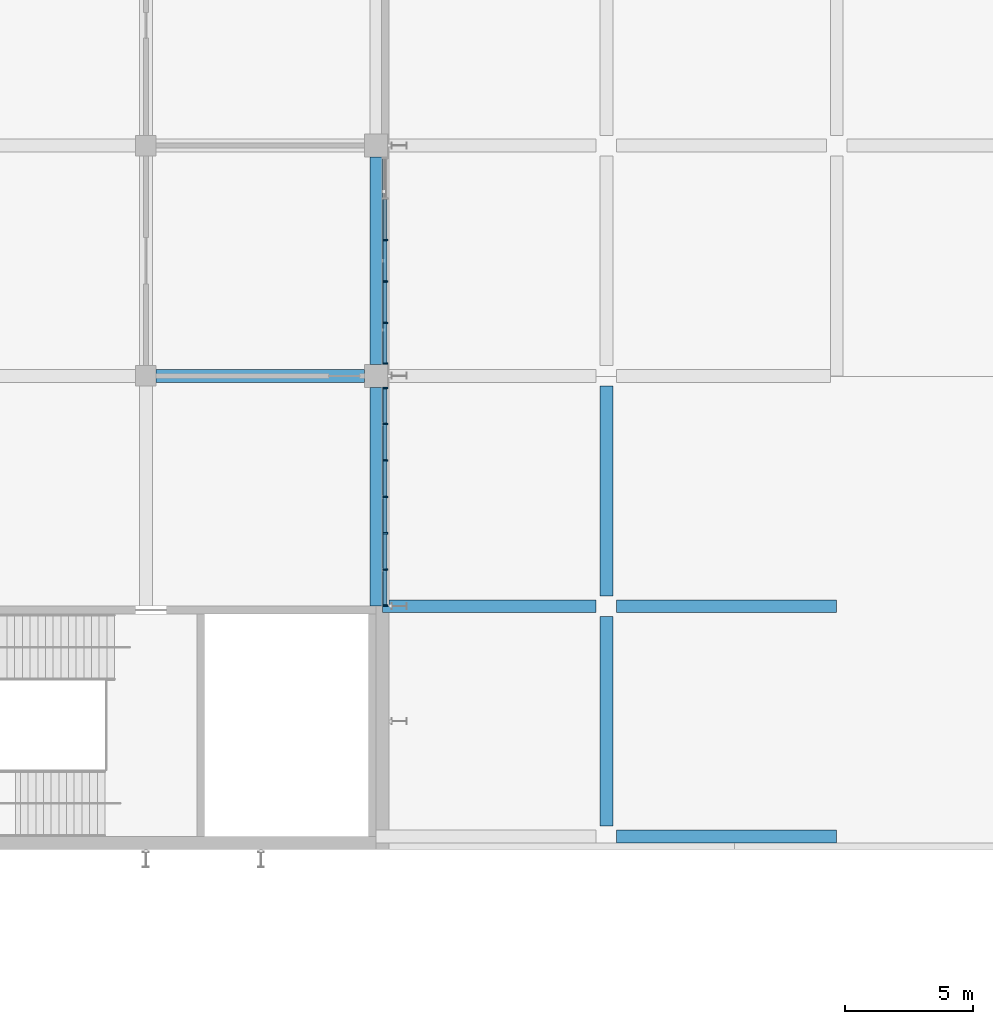
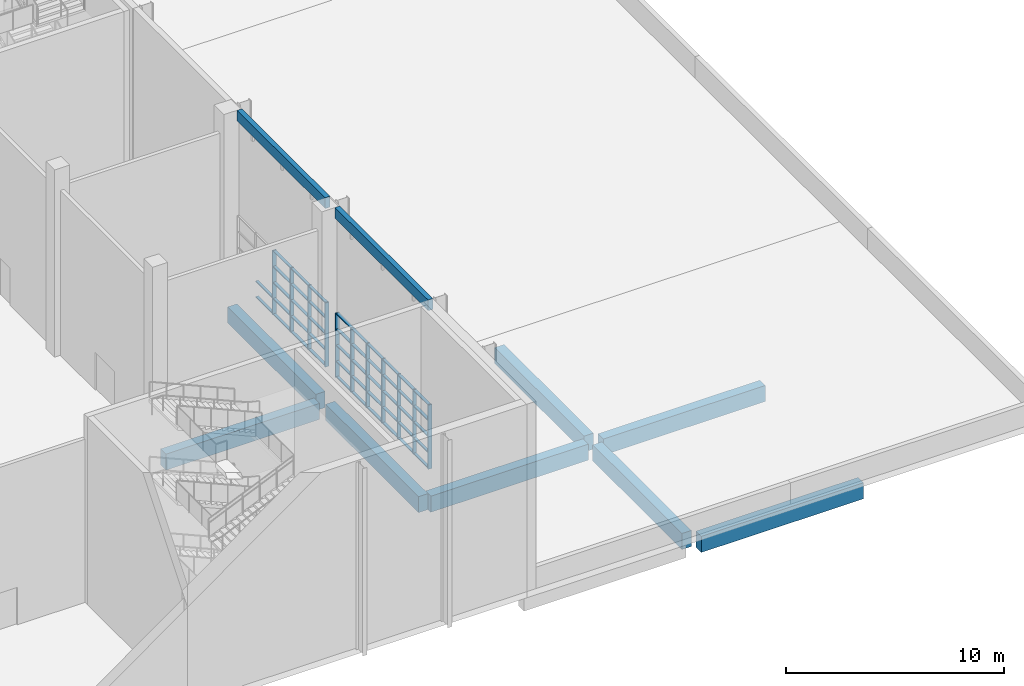
# One storey, part 44 of 182: 58 members, 10 beams, 2 elements without a shape of their own.
"""IFC4 building model written with IfcOpenShell, lengths in metres."""

from ifc_helpers import new_model, si_unit, direction, frame, origin, origin_2d, place, context, subcontext, project, spatial, rectangle, extrude, material, material_profile, profile_set, type_object, element, aggregate, save


model = new_model("IFC4")

# Units and contexts
model_context = context("Model", 3, precision=1e-05, world=origin(), true_north=direction((0.0, 1.0)))
body_context = subcontext(model_context, "Body", "Model", "MODEL_VIEW")
ifc_project = project(units=[si_unit("LENGTHUNIT", "METRE"), si_unit("AREAUNIT", "SQUARE_METRE"), si_unit("VOLUMEUNIT", "CUBIC_METRE"), si_unit("PLANEANGLEUNIT", "RADIAN"), si_unit("MASSUNIT", "GRAM", prefix="KILO")], contexts=[model_context])

# Site, building, storey
site_placement = place(None, origin())
site = spatial("IfcSite", under=ifc_project, at=site_placement, CompositionType="ELEMENT")
building_placement = place(site_placement, origin())
building = spatial("IfcBuilding", under=site, at=building_placement, Name="Silverbay Arena", CompositionType="ELEMENT")
storey_placement = place(building_placement, frame((0.0, 0.0, 11.5)))
storey = spatial("IfcBuildingStorey", under=building, at=storey_placement, Name="L02", CompositionType="ELEMENT", Elevation=11.5)

# Curtain wall, members
ifc_material_1 = material(Name="Aluminium framed curtain wall", Category="aluminium")
curtain_wall_type_1 = type_object("IfcCurtainWallType", Name="Curtain wall 8550 x 3600", PredefinedType="NOTDEFINED", material=ifc_material_1)
curtain_wall_1_placement = place(storey_placement, origin())
curtain_wall_1 = element("IfcCurtainWall", 1, at=curtain_wall_1_placement, inside=storey, type_object=curtain_wall_type_1, Name="East curtain wall L02 bay 2", PredefinedType="NOTDEFINED")
ifc_material_2 = material(Name="Aluminium", Category="aluminium")
ifc_material_profile_1 = material_profile(ifc_material_2, rectangle(XDim=0.199951171875, YDim=0.06005859375, at=origin_2d()), Name="Mullion 60 x 200")
ifc_profile_set_1 = profile_set([ifc_material_profile_1], Name="Aluminium")
member_type_1 = type_object("IfcMemberType", Name="Mullion 60 x 200", PredefinedType="MULLION", material=ifc_profile_set_1)
member_1_placement = place(storey_placement, frame((207.35009765625, 27.030029296875, 1.0), z_axis=(0.0, 0.0, 1.0), x_axis=(-1.0, 0.0, 0.0)))
member_1 = element("IfcMember", 2, at=member_1_placement, type_object=member_type_1, Name="CW10 mullion 1", PredefinedType="MULLION", context=body_context, shape_type="SweptSolid", body=[
    extrude(rectangle(XDim=0.199951171875, YDim=0.06005859375, at=origin_2d()), origin(), (0.0, 0.0, 1.0), 3.60009765625),
])
member_2_placement = place(storey_placement, frame((207.35009765625, 28.425048828125, 1.0), z_axis=(0.0, 0.0, 1.0), x_axis=(-1.0, 0.0, 0.0)))
member_2 = element("IfcMember", 3, at=member_2_placement, type_object=member_type_1, Name="CW10 mullion 2", PredefinedType="MULLION", context=body_context, shape_type="SweptSolid", body=[
    extrude(rectangle(XDim=0.199951171875, YDim=0.06005859375, at=origin_2d()), origin(), (0.0, 0.0, 1.0), 3.60009765625),
])
member_3_placement = place(storey_placement, frame((207.35009765625, 29.85009765625, 1.0), z_axis=(0.0, 0.0, 1.0), x_axis=(-1.0, 0.0, 0.0)))
member_3 = element("IfcMember", 4, at=member_3_placement, type_object=member_type_1, Name="CW10 mullion 3", PredefinedType="MULLION", context=body_context, shape_type="SweptSolid", body=[
    extrude(rectangle(XDim=0.199951171875, YDim=0.06005859375, at=origin_2d()), origin(), (0.0, 0.0, 1.0), 3.60009765625),
])
member_4_placement = place(storey_placement, frame((207.35009765625, 31.27490234375, 1.0), z_axis=(0.0, 0.0, 1.0), x_axis=(-1.0, 0.0, 0.0)))
member_4 = element("IfcMember", 5, at=member_4_placement, type_object=member_type_1, Name="CW10 mullion 4", PredefinedType="MULLION", context=body_context, shape_type="SweptSolid", body=[
    extrude(rectangle(XDim=0.199951171875, YDim=0.06005859375, at=origin_2d()), origin(), (0.0, 0.0, 1.0), 3.60009765625),
])
member_5_placement = place(storey_placement, frame((207.35009765625, 32.699951171875, 1.0), z_axis=(0.0, 0.0, 1.0), x_axis=(-1.0, 0.0, 0.0)))
member_5 = element("IfcMember", 6, at=member_5_placement, type_object=member_type_1, Name="CW10 mullion 5", PredefinedType="MULLION", context=body_context, shape_type="SweptSolid", body=[
    extrude(rectangle(XDim=0.199951171875, YDim=0.06005859375, at=origin_2d()), origin(), (0.0, 0.0, 1.0), 3.60009765625),
])
member_6_placement = place(storey_placement, frame((207.35009765625, 34.125, 1.0), z_axis=(0.0, 0.0, 1.0), x_axis=(-1.0, 0.0, 0.0)))
member_6 = element("IfcMember", 7, at=member_6_placement, type_object=member_type_1, Name="CW10 mullion 6", PredefinedType="MULLION", context=body_context, shape_type="SweptSolid", body=[
    extrude(rectangle(XDim=0.199951171875, YDim=0.06005859375, at=origin_2d()), origin(), (0.0, 0.0, 1.0), 3.60009765625),
])
member_7_placement = place(storey_placement, frame((207.35009765625, 35.52001953125, 1.0), z_axis=(0.0, 0.0, 1.0), x_axis=(-1.0, 0.0, 0.0)))
member_7 = element("IfcMember", 8, at=member_7_placement, type_object=member_type_1, Name="CW10 mullion 7", PredefinedType="MULLION", context=body_context, shape_type="SweptSolid", body=[
    extrude(rectangle(XDim=0.199951171875, YDim=0.06005859375, at=origin_2d()), origin(), (0.0, 0.0, 1.0), 3.60009765625),
])

ifc_material_3 = material(Name="Aluminium framed curtain wall", Category="aluminium")
curtain_wall_type_2 = type_object("IfcCurtainWallType", Name="Curtain wall 8100 x 3600", PredefinedType="NOTDEFINED", material=ifc_material_3)
curtain_wall_2_placement = place(storey_placement, origin())
curtain_wall_2 = element("IfcCurtainWall", 9, at=curtain_wall_2_placement, inside=storey, type_object=curtain_wall_type_2, Name="East curtain wall L02 bay 3", PredefinedType="NOTDEFINED")
member_8_placement = place(storey_placement, frame((207.35009765625, 36.47998046875, 1.0), z_axis=(0.0, 0.0, 1.0), x_axis=(-1.0, 0.0, 0.0)))
member_8 = element("IfcMember", 10, at=member_8_placement, type_object=member_type_1, Name="CW11 mullion 1", PredefinedType="MULLION", context=body_context, shape_type="SweptSolid", body=[
    extrude(rectangle(XDim=0.199951171875, YDim=0.06005859375, at=origin_2d()), origin(), (0.0, 0.0, 1.0), 3.60009765625),
])
member_9_placement = place(storey_placement, frame((207.35009765625, 38.070068359375, 1.0), z_axis=(0.0, 0.0, 1.0), x_axis=(-1.0, 0.0, 0.0)))
member_9 = element("IfcMember", 11, at=member_9_placement, type_object=member_type_1, Name="CW11 mullion 2", PredefinedType="MULLION", context=body_context, shape_type="SweptSolid", body=[
    extrude(rectangle(XDim=0.199951171875, YDim=0.06005859375, at=origin_2d()), origin(), (0.0, 0.0, 1.0), 3.60009765625),
])
member_10_placement = place(storey_placement, frame((207.35009765625, 39.68994140625, 1.0), z_axis=(0.0, 0.0, 1.0), x_axis=(-1.0, 0.0, 0.0)))
member_10 = element("IfcMember", 12, at=member_10_placement, type_object=member_type_1, Name="CW11 mullion 3", PredefinedType="MULLION", context=body_context, shape_type="SweptSolid", body=[
    extrude(rectangle(XDim=0.199951171875, YDim=0.06005859375, at=origin_2d()), origin(), (0.0, 0.0, 1.0), 3.60009765625),
])
member_11_placement = place(storey_placement, frame((207.35009765625, 41.31005859375, 1.0), z_axis=(0.0, 0.0, 1.0), x_axis=(-1.0, 0.0, 0.0)))
member_11 = element("IfcMember", 13, at=member_11_placement, type_object=member_type_1, Name="CW11 mullion 4", PredefinedType="MULLION", context=body_context, shape_type="SweptSolid", body=[
    extrude(rectangle(XDim=0.199951171875, YDim=0.06005859375, at=origin_2d()), origin(), (0.0, 0.0, 1.0), 3.60009765625),
])

# Beams
ifc_material_4 = material(Name="Concrete Grade C45", Category="concrete")
ifc_material_profile_2 = material_profile(ifc_material_4, rectangle(XDim=0.5, YDim=0.89990234375, at=origin_2d()), Name="RC 500x900")
ifc_profile_set_2 = profile_set([ifc_material_profile_2], Name="Concrete Grade C45")
beam_type_1 = type_object("IfcBeamType", Name="RC beam 500x900", PredefinedType="BEAM", material=ifc_profile_set_2)
beam_1_placement = place(storey_placement, frame((216.39990234375, 18.0, -0.800048828125), z_axis=(1.0, 0.0, 0.0), x_axis=(0.0, 1.0, 0.0)))
element("IfcBeam", 14, at=beam_1_placement, inside=storey, type_object=beam_type_1, Name="Floor beam L02 009", PredefinedType="BEAM", context=body_context, shape_type="SweptSolid", body=[
    extrude(rectangle(XDim=0.5, YDim=0.89990234375, at=origin_2d()), origin(), (0.0, 0.0, 1.0), 8.60009765625),
])
beam_2_placement = place(storey_placement, frame((207.25, 27.0, -0.800048828125), z_axis=(1.0, 0.0, 0.0), x_axis=(0.0, 1.0, 0.0)))
element("IfcBeam", 15, at=beam_2_placement, inside=storey, type_object=beam_type_1, Name="Floor beam L02 017", PredefinedType="BEAM", context=body_context, shape_type="SweptSolid", body=[
    extrude(rectangle(XDim=0.5, YDim=0.89990234375, at=origin_2d()), origin(), (0.0, 0.0, 1.0), 8.35009765625),
])
beam_3_placement = place(storey_placement, frame((216.39990234375, 27.0, -0.800048828125), z_axis=(1.0, 0.0, 0.0), x_axis=(0.0, 1.0, 0.0)))
element("IfcBeam", 16, at=beam_3_placement, inside=storey, type_object=beam_type_1, Name="Floor beam L02 018", PredefinedType="BEAM", context=body_context, shape_type="SweptSolid", body=[
    extrude(rectangle(XDim=0.5, YDim=0.89990234375, at=origin_2d()), origin(), (0.0, 0.0, 1.0), 8.60009765625),
])
beam_4_placement = place(storey_placement, frame((198.39990234375, 36.0, -0.800048828125), z_axis=(1.0, 0.0, 0.0), x_axis=(0.0, 1.0, 0.0)))
element("IfcBeam", 17, at=beam_4_placement, inside=storey, type_object=beam_type_1, Name="Floor beam L02 024", PredefinedType="BEAM", context=body_context, shape_type="SweptSolid", body=[
    extrude(rectangle(XDim=0.5, YDim=0.89990234375, at=origin_2d()), origin(), (0.0, 0.0, 1.0), 8.150146484375),
])
beam_5_placement = place(storey_placement, frame((207.0, 27.0, -0.800048828125), z_axis=(0.0, 1.0, 0.0), x_axis=(-1.0, 0.0, 0.0)))
element("IfcBeam", 18, at=beam_5_placement, inside=storey, type_object=beam_type_1, Name="Floor beam L02 323", PredefinedType="BEAM", context=body_context, shape_type="SweptSolid", body=[
    extrude(rectangle(XDim=0.5, YDim=0.89990234375, at=origin_2d()), origin(), (0.0, 0.0, 1.0), 8.550048828125),
])
beam_6_placement = place(storey_placement, frame((207.0, 36.449951171875, -0.800048828125), z_axis=(0.0, 1.0, 0.0), x_axis=(-1.0, 0.0, 0.0)))
element("IfcBeam", 19, at=beam_6_placement, inside=storey, type_object=beam_type_1, Name="Floor beam L02 324", PredefinedType="BEAM", context=body_context, shape_type="SweptSolid", body=[
    extrude(rectangle(XDim=0.5, YDim=0.89990234375, at=origin_2d()), origin(), (0.0, 0.0, 1.0), 8.10009765625),
])
for number, where, z_axis, x_axis, name in (
    (20, (216.0, 18.39990234375, -0.800048828125), (0.0, 1.0, 0.0), (-1.0, 0.0, 0.0), "Floor beam L02 331"),
    (21, (216.0, 27.39990234375, -0.800048828125), (0.0, 1.0, 0.0), (-1.0, 0.0, 0.0), "Floor beam L02 332"),
):
    element("IfcBeam", number, at=place(storey_placement, frame(where, z_axis=z_axis, x_axis=x_axis)), inside=storey, type_object=beam_type_1, Name=name, PredefinedType="BEAM", context=body_context, shape_type="SweptSolid", body=[
        extrude(rectangle(XDim=0.5, YDim=0.89990234375, at=origin_2d()), origin(), (0.0, 0.0, 1.0), 8.2001953125),
    ])
ifc_material_5 = material(Name="Concrete Grade C45", Category="concrete")
ifc_material_profile_3 = material_profile(ifc_material_5, rectangle(XDim=0.25, YDim=0.60009765625, at=origin_2d()), Name="RC 250x600")
ifc_profile_set_3 = profile_set([ifc_material_profile_3], Name="Concrete Grade C45")
beam_type_2 = type_object("IfcBeamType", Name="RC facade beam 250x600", PredefinedType="SPANDREL", material=ifc_profile_set_3)
beam_7_placement = place(storey_placement, frame((207.375, 27.0, 10.199951171875), z_axis=(0.0, 1.0, 0.0), x_axis=(-1.0, 0.0, 0.0)))
element("IfcBeam", 22, at=beam_7_placement, inside=storey, type_object=beam_type_2, Name="Facade beam L02 east", PredefinedType="SPANDREL", context=body_context, shape_type="SweptSolid", body=[
    extrude(rectangle(XDim=0.25, YDim=0.60009765625, at=origin_2d()), origin(), (0.0, 0.0, 1.0), 8.550048828125),
])
beam_8_placement = place(storey_placement, frame((207.375, 36.449951171875, 10.199951171875), z_axis=(0.0, 1.0, 0.0), x_axis=(-1.0, 0.0, 0.0)))
element("IfcBeam", 23, at=beam_8_placement, inside=storey, type_object=beam_type_2, Name="Facade beam L02 east", PredefinedType="SPANDREL", context=body_context, shape_type="SweptSolid", body=[
    extrude(rectangle(XDim=0.25, YDim=0.60009765625, at=origin_2d()), origin(), (0.0, 0.0, 1.0), 8.10009765625),
])

# Member
ifc_material_6 = material(Name="Aluminium", Category="aluminium")
ifc_material_profile_4 = material_profile(ifc_material_6, rectangle(XDim=0.14990234375, YDim=0.050048828125, at=origin_2d()), Name="Transom 50 x 150")
ifc_profile_set_4 = profile_set([ifc_material_profile_4], Name="Aluminium")
member_type_2 = type_object("IfcMemberType", Name="Transom 50 x 150", PredefinedType="USERDEFINED", material=ifc_profile_set_4)
member_12_placement = place(storey_placement, frame((207.35009765625, 27.06005859375, 1.02490234375), z_axis=(0.0, 1.0, 0.0), x_axis=(-1.0, 0.0, 0.0)))
member_12 = element("IfcMember", 24, at=member_12_placement, type_object=member_type_2, Name="CW10 transom 1.1", ObjectType="TRANSOM", PredefinedType="USERDEFINED", context=body_context, shape_type="SweptSolid", body=[
    extrude(rectangle(XDim=0.14990234375, YDim=0.050048828125, at=origin_2d()), origin(), (0.0, 0.0, 1.0), 1.3349609375),
])

member_13_placement = place(storey_placement, frame((207.35009765625, 27.06005859375, 1.89990234375), z_axis=(0.0, 1.0, 0.0), x_axis=(-1.0, 0.0, 0.0)))
member_13 = element("IfcMember", 25, at=member_13_placement, type_object=member_type_2, Name="CW10 transom 1.2", ObjectType="TRANSOM", PredefinedType="USERDEFINED", context=body_context, shape_type="SweptSolid", body=[
    extrude(rectangle(XDim=0.14990234375, YDim=0.050048828125, at=origin_2d()), origin(), (0.0, 0.0, 1.0), 1.3349609375),
])

member_14_placement = place(storey_placement, frame((207.35009765625, 27.06005859375, 2.800048828125), z_axis=(0.0, 1.0, 0.0), x_axis=(-1.0, 0.0, 0.0)))
member_14 = element("IfcMember", 26, at=member_14_placement, type_object=member_type_2, Name="CW10 transom 1.3", ObjectType="TRANSOM", PredefinedType="USERDEFINED", context=body_context, shape_type="SweptSolid", body=[
    extrude(rectangle(XDim=0.14990234375, YDim=0.050048828125, at=origin_2d()), origin(), (0.0, 0.0, 1.0), 1.3349609375),
])

member_15_placement = place(storey_placement, frame((207.35009765625, 27.06005859375, 3.699951171875), z_axis=(0.0, 1.0, 0.0), x_axis=(-1.0, 0.0, 0.0)))
member_15 = element("IfcMember", 27, at=member_15_placement, type_object=member_type_2, Name="CW10 transom 1.4", ObjectType="TRANSOM", PredefinedType="USERDEFINED", context=body_context, shape_type="SweptSolid", body=[
    extrude(rectangle(XDim=0.14990234375, YDim=0.050048828125, at=origin_2d()), origin(), (0.0, 0.0, 1.0), 1.3349609375),
])

member_16_placement = place(storey_placement, frame((207.35009765625, 27.06005859375, 4.574951171875), z_axis=(0.0, 1.0, 0.0), x_axis=(-1.0, 0.0, 0.0)))
member_16 = element("IfcMember", 28, at=member_16_placement, type_object=member_type_2, Name="CW10 transom 1.5", ObjectType="TRANSOM", PredefinedType="USERDEFINED", context=body_context, shape_type="SweptSolid", body=[
    extrude(rectangle(XDim=0.14990234375, YDim=0.050048828125, at=origin_2d()), origin(), (0.0, 0.0, 1.0), 1.3349609375),
])

member_17_placement = place(storey_placement, frame((207.35009765625, 28.455078125, 1.02490234375), z_axis=(0.0, 1.0, 0.0), x_axis=(-1.0, 0.0, 0.0)))
member_17 = element("IfcMember", 29, at=member_17_placement, type_object=member_type_2, Name="CW10 transom 2.1", ObjectType="TRANSOM", PredefinedType="USERDEFINED", context=body_context, shape_type="SweptSolid", body=[
    extrude(rectangle(XDim=0.14990234375, YDim=0.050048828125, at=origin_2d()), origin(), (0.0, 0.0, 1.0), 1.364990234375),
])

member_18_placement = place(storey_placement, frame((207.35009765625, 28.455078125, 1.89990234375), z_axis=(0.0, 1.0, 0.0), x_axis=(-1.0, 0.0, 0.0)))
member_18 = element("IfcMember", 30, at=member_18_placement, type_object=member_type_2, Name="CW10 transom 2.2", ObjectType="TRANSOM", PredefinedType="USERDEFINED", context=body_context, shape_type="SweptSolid", body=[
    extrude(rectangle(XDim=0.14990234375, YDim=0.050048828125, at=origin_2d()), origin(), (0.0, 0.0, 1.0), 1.364990234375),
])

member_19_placement = place(storey_placement, frame((207.35009765625, 28.455078125, 2.800048828125), z_axis=(0.0, 1.0, 0.0), x_axis=(-1.0, 0.0, 0.0)))
member_19 = element("IfcMember", 31, at=member_19_placement, type_object=member_type_2, Name="CW10 transom 2.3", ObjectType="TRANSOM", PredefinedType="USERDEFINED", context=body_context, shape_type="SweptSolid", body=[
    extrude(rectangle(XDim=0.14990234375, YDim=0.050048828125, at=origin_2d()), origin(), (0.0, 0.0, 1.0), 1.364990234375),
])

member_20_placement = place(storey_placement, frame((207.35009765625, 28.455078125, 3.699951171875), z_axis=(0.0, 1.0, 0.0), x_axis=(-1.0, 0.0, 0.0)))
member_20 = element("IfcMember", 32, at=member_20_placement, type_object=member_type_2, Name="CW10 transom 2.4", ObjectType="TRANSOM", PredefinedType="USERDEFINED", context=body_context, shape_type="SweptSolid", body=[
    extrude(rectangle(XDim=0.14990234375, YDim=0.050048828125, at=origin_2d()), origin(), (0.0, 0.0, 1.0), 1.364990234375),
])

member_21_placement = place(storey_placement, frame((207.35009765625, 28.455078125, 4.574951171875), z_axis=(0.0, 1.0, 0.0), x_axis=(-1.0, 0.0, 0.0)))
member_21 = element("IfcMember", 33, at=member_21_placement, type_object=member_type_2, Name="CW10 transom 2.5", ObjectType="TRANSOM", PredefinedType="USERDEFINED", context=body_context, shape_type="SweptSolid", body=[
    extrude(rectangle(XDim=0.14990234375, YDim=0.050048828125, at=origin_2d()), origin(), (0.0, 0.0, 1.0), 1.364990234375),
])

member_22_placement = place(storey_placement, frame((207.35009765625, 29.8798828125, 1.02490234375), z_axis=(0.0, 1.0, 0.0), x_axis=(-1.0, 0.0, 0.0)))
member_22 = element("IfcMember", 34, at=member_22_placement, type_object=member_type_2, Name="CW10 transom 3.1", ObjectType="TRANSOM", PredefinedType="USERDEFINED", context=body_context, shape_type="SweptSolid", body=[
    extrude(rectangle(XDim=0.14990234375, YDim=0.050048828125, at=origin_2d()), origin(), (0.0, 0.0, 1.0), 1.365234375),
])

member_23_placement = place(storey_placement, frame((207.35009765625, 29.8798828125, 1.89990234375), z_axis=(0.0, 1.0, 0.0), x_axis=(-1.0, 0.0, 0.0)))
member_23 = element("IfcMember", 35, at=member_23_placement, type_object=member_type_2, Name="CW10 transom 3.2", ObjectType="TRANSOM", PredefinedType="USERDEFINED", context=body_context, shape_type="SweptSolid", body=[
    extrude(rectangle(XDim=0.14990234375, YDim=0.050048828125, at=origin_2d()), origin(), (0.0, 0.0, 1.0), 1.365234375),
])

member_24_placement = place(storey_placement, frame((207.35009765625, 29.8798828125, 2.800048828125), z_axis=(0.0, 1.0, 0.0), x_axis=(-1.0, 0.0, 0.0)))
member_24 = element("IfcMember", 36, at=member_24_placement, type_object=member_type_2, Name="CW10 transom 3.3", ObjectType="TRANSOM", PredefinedType="USERDEFINED", context=body_context, shape_type="SweptSolid", body=[
    extrude(rectangle(XDim=0.14990234375, YDim=0.050048828125, at=origin_2d()), origin(), (0.0, 0.0, 1.0), 1.365234375),
])

member_25_placement = place(storey_placement, frame((207.35009765625, 29.8798828125, 3.699951171875), z_axis=(0.0, 1.0, 0.0), x_axis=(-1.0, 0.0, 0.0)))
member_25 = element("IfcMember", 37, at=member_25_placement, type_object=member_type_2, Name="CW10 transom 3.4", ObjectType="TRANSOM", PredefinedType="USERDEFINED", context=body_context, shape_type="SweptSolid", body=[
    extrude(rectangle(XDim=0.14990234375, YDim=0.050048828125, at=origin_2d()), origin(), (0.0, 0.0, 1.0), 1.365234375),
])

member_26_placement = place(storey_placement, frame((207.35009765625, 29.8798828125, 4.574951171875), z_axis=(0.0, 1.0, 0.0), x_axis=(-1.0, 0.0, 0.0)))
member_26 = element("IfcMember", 38, at=member_26_placement, type_object=member_type_2, Name="CW10 transom 3.5", ObjectType="TRANSOM", PredefinedType="USERDEFINED", context=body_context, shape_type="SweptSolid", body=[
    extrude(rectangle(XDim=0.14990234375, YDim=0.050048828125, at=origin_2d()), origin(), (0.0, 0.0, 1.0), 1.365234375),
])

member_27_placement = place(storey_placement, frame((207.35009765625, 31.304931640625, 1.02490234375), z_axis=(0.0, 1.0, 0.0), x_axis=(-1.0, 0.0, 0.0)))
member_27 = element("IfcMember", 39, at=member_27_placement, type_object=member_type_2, Name="CW10 transom 4.1", ObjectType="TRANSOM", PredefinedType="USERDEFINED", context=body_context, shape_type="SweptSolid", body=[
    extrude(rectangle(XDim=0.14990234375, YDim=0.050048828125, at=origin_2d()), origin(), (0.0, 0.0, 1.0), 1.364990234375),
])

member_28_placement = place(storey_placement, frame((207.35009765625, 31.304931640625, 1.89990234375), z_axis=(0.0, 1.0, 0.0), x_axis=(-1.0, 0.0, 0.0)))
member_28 = element("IfcMember", 40, at=member_28_placement, type_object=member_type_2, Name="CW10 transom 4.2", ObjectType="TRANSOM", PredefinedType="USERDEFINED", context=body_context, shape_type="SweptSolid", body=[
    extrude(rectangle(XDim=0.14990234375, YDim=0.050048828125, at=origin_2d()), origin(), (0.0, 0.0, 1.0), 1.364990234375),
])

member_29_placement = place(storey_placement, frame((207.35009765625, 31.304931640625, 2.800048828125), z_axis=(0.0, 1.0, 0.0), x_axis=(-1.0, 0.0, 0.0)))
member_29 = element("IfcMember", 41, at=member_29_placement, type_object=member_type_2, Name="CW10 transom 4.3", ObjectType="TRANSOM", PredefinedType="USERDEFINED", context=body_context, shape_type="SweptSolid", body=[
    extrude(rectangle(XDim=0.14990234375, YDim=0.050048828125, at=origin_2d()), origin(), (0.0, 0.0, 1.0), 1.364990234375),
])

member_30_placement = place(storey_placement, frame((207.35009765625, 31.304931640625, 3.699951171875), z_axis=(0.0, 1.0, 0.0), x_axis=(-1.0, 0.0, 0.0)))
member_30 = element("IfcMember", 42, at=member_30_placement, type_object=member_type_2, Name="CW10 transom 4.4", ObjectType="TRANSOM", PredefinedType="USERDEFINED", context=body_context, shape_type="SweptSolid", body=[
    extrude(rectangle(XDim=0.14990234375, YDim=0.050048828125, at=origin_2d()), origin(), (0.0, 0.0, 1.0), 1.364990234375),
])

member_31_placement = place(storey_placement, frame((207.35009765625, 31.304931640625, 4.574951171875), z_axis=(0.0, 1.0, 0.0), x_axis=(-1.0, 0.0, 0.0)))
member_31 = element("IfcMember", 43, at=member_31_placement, type_object=member_type_2, Name="CW10 transom 4.5", ObjectType="TRANSOM", PredefinedType="USERDEFINED", context=body_context, shape_type="SweptSolid", body=[
    extrude(rectangle(XDim=0.14990234375, YDim=0.050048828125, at=origin_2d()), origin(), (0.0, 0.0, 1.0), 1.364990234375),
])

member_32_placement = place(storey_placement, frame((207.35009765625, 32.72998046875, 1.02490234375), z_axis=(0.0, 1.0, 0.0), x_axis=(-1.0, 0.0, 0.0)))
member_32 = element("IfcMember", 44, at=member_32_placement, type_object=member_type_2, Name="CW10 transom 5.1", ObjectType="TRANSOM", PredefinedType="USERDEFINED", context=body_context, shape_type="SweptSolid", body=[
    extrude(rectangle(XDim=0.14990234375, YDim=0.050048828125, at=origin_2d()), origin(), (0.0, 0.0, 1.0), 1.364990234375),
])

member_33_placement = place(storey_placement, frame((207.35009765625, 32.72998046875, 1.89990234375), z_axis=(0.0, 1.0, 0.0), x_axis=(-1.0, 0.0, 0.0)))
member_33 = element("IfcMember", 45, at=member_33_placement, type_object=member_type_2, Name="CW10 transom 5.2", ObjectType="TRANSOM", PredefinedType="USERDEFINED", context=body_context, shape_type="SweptSolid", body=[
    extrude(rectangle(XDim=0.14990234375, YDim=0.050048828125, at=origin_2d()), origin(), (0.0, 0.0, 1.0), 1.364990234375),
])

member_34_placement = place(storey_placement, frame((207.35009765625, 32.72998046875, 2.800048828125), z_axis=(0.0, 1.0, 0.0), x_axis=(-1.0, 0.0, 0.0)))
member_34 = element("IfcMember", 46, at=member_34_placement, type_object=member_type_2, Name="CW10 transom 5.3", ObjectType="TRANSOM", PredefinedType="USERDEFINED", context=body_context, shape_type="SweptSolid", body=[
    extrude(rectangle(XDim=0.14990234375, YDim=0.050048828125, at=origin_2d()), origin(), (0.0, 0.0, 1.0), 1.364990234375),
])

member_35_placement = place(storey_placement, frame((207.35009765625, 32.72998046875, 3.699951171875), z_axis=(0.0, 1.0, 0.0), x_axis=(-1.0, 0.0, 0.0)))
member_35 = element("IfcMember", 47, at=member_35_placement, type_object=member_type_2, Name="CW10 transom 5.4", ObjectType="TRANSOM", PredefinedType="USERDEFINED", context=body_context, shape_type="SweptSolid", body=[
    extrude(rectangle(XDim=0.14990234375, YDim=0.050048828125, at=origin_2d()), origin(), (0.0, 0.0, 1.0), 1.364990234375),
])

member_36_placement = place(storey_placement, frame((207.35009765625, 32.72998046875, 4.574951171875), z_axis=(0.0, 1.0, 0.0), x_axis=(-1.0, 0.0, 0.0)))
member_36 = element("IfcMember", 48, at=member_36_placement, type_object=member_type_2, Name="CW10 transom 5.5", ObjectType="TRANSOM", PredefinedType="USERDEFINED", context=body_context, shape_type="SweptSolid", body=[
    extrude(rectangle(XDim=0.14990234375, YDim=0.050048828125, at=origin_2d()), origin(), (0.0, 0.0, 1.0), 1.364990234375),
])

member_37_placement = place(storey_placement, frame((207.35009765625, 34.155029296875, 1.02490234375), z_axis=(0.0, 1.0, 0.0), x_axis=(-1.0, 0.0, 0.0)))
member_37 = element("IfcMember", 49, at=member_37_placement, type_object=member_type_2, Name="CW10 transom 6.1", ObjectType="TRANSOM", PredefinedType="USERDEFINED", context=body_context, shape_type="SweptSolid", body=[
    extrude(rectangle(XDim=0.14990234375, YDim=0.050048828125, at=origin_2d()), origin(), (0.0, 0.0, 1.0), 1.3349609375),
])

member_38_placement = place(storey_placement, frame((207.35009765625, 34.155029296875, 1.89990234375), z_axis=(0.0, 1.0, 0.0), x_axis=(-1.0, 0.0, 0.0)))
member_38 = element("IfcMember", 50, at=member_38_placement, type_object=member_type_2, Name="CW10 transom 6.2", ObjectType="TRANSOM", PredefinedType="USERDEFINED", context=body_context, shape_type="SweptSolid", body=[
    extrude(rectangle(XDim=0.14990234375, YDim=0.050048828125, at=origin_2d()), origin(), (0.0, 0.0, 1.0), 1.3349609375),
])

member_39_placement = place(storey_placement, frame((207.35009765625, 34.155029296875, 2.800048828125), z_axis=(0.0, 1.0, 0.0), x_axis=(-1.0, 0.0, 0.0)))
member_39 = element("IfcMember", 51, at=member_39_placement, type_object=member_type_2, Name="CW10 transom 6.3", ObjectType="TRANSOM", PredefinedType="USERDEFINED", context=body_context, shape_type="SweptSolid", body=[
    extrude(rectangle(XDim=0.14990234375, YDim=0.050048828125, at=origin_2d()), origin(), (0.0, 0.0, 1.0), 1.3349609375),
])

member_40_placement = place(storey_placement, frame((207.35009765625, 34.155029296875, 3.699951171875), z_axis=(0.0, 1.0, 0.0), x_axis=(-1.0, 0.0, 0.0)))
member_40 = element("IfcMember", 52, at=member_40_placement, type_object=member_type_2, Name="CW10 transom 6.4", ObjectType="TRANSOM", PredefinedType="USERDEFINED", context=body_context, shape_type="SweptSolid", body=[
    extrude(rectangle(XDim=0.14990234375, YDim=0.050048828125, at=origin_2d()), origin(), (0.0, 0.0, 1.0), 1.3349609375),
])

member_41_placement = place(storey_placement, frame((207.35009765625, 34.155029296875, 4.574951171875), z_axis=(0.0, 1.0, 0.0), x_axis=(-1.0, 0.0, 0.0)))
member_41 = element("IfcMember", 53, at=member_41_placement, type_object=member_type_2, Name="CW10 transom 6.5", ObjectType="TRANSOM", PredefinedType="USERDEFINED", context=body_context, shape_type="SweptSolid", body=[
    extrude(rectangle(XDim=0.14990234375, YDim=0.050048828125, at=origin_2d()), origin(), (0.0, 0.0, 1.0), 1.3349609375),
])

aggregate(curtain_wall_1, [member_1, member_2, member_3, member_4, member_5, member_6, member_7, member_12, member_13, member_14, member_15, member_16, member_17, member_18, member_19, member_20, member_21, member_22, member_23, member_24, member_25, member_26, member_27, member_28, member_29, member_30, member_31, member_32, member_33, member_34, member_35, member_36, member_37, member_38, member_39, member_40, member_41])

member_42_placement = place(storey_placement, frame((207.35009765625, 36.510009765625, 1.02490234375), z_axis=(0.0, 1.0, 0.0), x_axis=(-1.0, 0.0, 0.0)))
member_42 = element("IfcMember", 54, at=member_42_placement, type_object=member_type_2, Name="CW11 transom 1.1", ObjectType="TRANSOM", PredefinedType="USERDEFINED", context=body_context, shape_type="SweptSolid", body=[
    extrude(rectangle(XDim=0.14990234375, YDim=0.050048828125, at=origin_2d()), origin(), (0.0, 0.0, 1.0), 1.530029296875),
])

member_43_placement = place(storey_placement, frame((207.35009765625, 36.510009765625, 1.89990234375), z_axis=(0.0, 1.0, 0.0), x_axis=(-1.0, 0.0, 0.0)))
member_43 = element("IfcMember", 55, at=member_43_placement, type_object=member_type_2, Name="CW11 transom 1.2", ObjectType="TRANSOM", PredefinedType="USERDEFINED", context=body_context, shape_type="SweptSolid", body=[
    extrude(rectangle(XDim=0.14990234375, YDim=0.050048828125, at=origin_2d()), origin(), (0.0, 0.0, 1.0), 1.530029296875),
])

member_44_placement = place(storey_placement, frame((207.35009765625, 36.510009765625, 2.800048828125), z_axis=(0.0, 1.0, 0.0), x_axis=(-1.0, 0.0, 0.0)))
member_44 = element("IfcMember", 56, at=member_44_placement, type_object=member_type_2, Name="CW11 transom 1.3", ObjectType="TRANSOM", PredefinedType="USERDEFINED", context=body_context, shape_type="SweptSolid", body=[
    extrude(rectangle(XDim=0.14990234375, YDim=0.050048828125, at=origin_2d()), origin(), (0.0, 0.0, 1.0), 1.530029296875),
])

member_45_placement = place(storey_placement, frame((207.35009765625, 36.510009765625, 3.699951171875), z_axis=(0.0, 1.0, 0.0), x_axis=(-1.0, 0.0, 0.0)))
member_45 = element("IfcMember", 57, at=member_45_placement, type_object=member_type_2, Name="CW11 transom 1.4", ObjectType="TRANSOM", PredefinedType="USERDEFINED", context=body_context, shape_type="SweptSolid", body=[
    extrude(rectangle(XDim=0.14990234375, YDim=0.050048828125, at=origin_2d()), origin(), (0.0, 0.0, 1.0), 1.530029296875),
])

member_46_placement = place(storey_placement, frame((207.35009765625, 36.510009765625, 4.574951171875), z_axis=(0.0, 1.0, 0.0), x_axis=(-1.0, 0.0, 0.0)))
member_46 = element("IfcMember", 58, at=member_46_placement, type_object=member_type_2, Name="CW11 transom 1.5", ObjectType="TRANSOM", PredefinedType="USERDEFINED", context=body_context, shape_type="SweptSolid", body=[
    extrude(rectangle(XDim=0.14990234375, YDim=0.050048828125, at=origin_2d()), origin(), (0.0, 0.0, 1.0), 1.530029296875),
])

member_47_placement = place(storey_placement, frame((207.35009765625, 38.10009765625, 1.02490234375), z_axis=(0.0, 1.0, 0.0), x_axis=(-1.0, 0.0, 0.0)))
member_47 = element("IfcMember", 59, at=member_47_placement, type_object=member_type_2, Name="CW11 transom 2.1", ObjectType="TRANSOM", PredefinedType="USERDEFINED", context=body_context, shape_type="SweptSolid", body=[
    extrude(rectangle(XDim=0.14990234375, YDim=0.050048828125, at=origin_2d()), origin(), (0.0, 0.0, 1.0), 1.559814453125),
])

member_48_placement = place(storey_placement, frame((207.35009765625, 38.10009765625, 1.89990234375), z_axis=(0.0, 1.0, 0.0), x_axis=(-1.0, 0.0, 0.0)))
member_48 = element("IfcMember", 60, at=member_48_placement, type_object=member_type_2, Name="CW11 transom 2.2", ObjectType="TRANSOM", PredefinedType="USERDEFINED", context=body_context, shape_type="SweptSolid", body=[
    extrude(rectangle(XDim=0.14990234375, YDim=0.050048828125, at=origin_2d()), origin(), (0.0, 0.0, 1.0), 1.559814453125),
])

member_49_placement = place(storey_placement, frame((207.35009765625, 38.10009765625, 2.800048828125), z_axis=(0.0, 1.0, 0.0), x_axis=(-1.0, 0.0, 0.0)))
member_49 = element("IfcMember", 61, at=member_49_placement, type_object=member_type_2, Name="CW11 transom 2.3", ObjectType="TRANSOM", PredefinedType="USERDEFINED", context=body_context, shape_type="SweptSolid", body=[
    extrude(rectangle(XDim=0.14990234375, YDim=0.050048828125, at=origin_2d()), origin(), (0.0, 0.0, 1.0), 1.559814453125),
])

member_50_placement = place(storey_placement, frame((207.35009765625, 38.10009765625, 3.699951171875), z_axis=(0.0, 1.0, 0.0), x_axis=(-1.0, 0.0, 0.0)))
member_50 = element("IfcMember", 62, at=member_50_placement, type_object=member_type_2, Name="CW11 transom 2.4", ObjectType="TRANSOM", PredefinedType="USERDEFINED", context=body_context, shape_type="SweptSolid", body=[
    extrude(rectangle(XDim=0.14990234375, YDim=0.050048828125, at=origin_2d()), origin(), (0.0, 0.0, 1.0), 1.559814453125),
])

member_51_placement = place(storey_placement, frame((207.35009765625, 38.10009765625, 4.574951171875), z_axis=(0.0, 1.0, 0.0), x_axis=(-1.0, 0.0, 0.0)))
member_51 = element("IfcMember", 63, at=member_51_placement, type_object=member_type_2, Name="CW11 transom 2.5", ObjectType="TRANSOM", PredefinedType="USERDEFINED", context=body_context, shape_type="SweptSolid", body=[
    extrude(rectangle(XDim=0.14990234375, YDim=0.050048828125, at=origin_2d()), origin(), (0.0, 0.0, 1.0), 1.559814453125),
])

member_52_placement = place(storey_placement, frame((207.35009765625, 39.719970703125, 1.02490234375), z_axis=(0.0, 1.0, 0.0), x_axis=(-1.0, 0.0, 0.0)))
member_52 = element("IfcMember", 64, at=member_52_placement, type_object=member_type_2, Name="CW11 transom 3.1", ObjectType="TRANSOM", PredefinedType="USERDEFINED", context=body_context, shape_type="SweptSolid", body=[
    extrude(rectangle(XDim=0.14990234375, YDim=0.050048828125, at=origin_2d()), origin(), (0.0, 0.0, 1.0), 1.56005859375),
])

member_53_placement = place(storey_placement, frame((207.35009765625, 39.719970703125, 1.89990234375), z_axis=(0.0, 1.0, 0.0), x_axis=(-1.0, 0.0, 0.0)))
member_53 = element("IfcMember", 65, at=member_53_placement, type_object=member_type_2, Name="CW11 transom 3.2", ObjectType="TRANSOM", PredefinedType="USERDEFINED", context=body_context, shape_type="SweptSolid", body=[
    extrude(rectangle(XDim=0.14990234375, YDim=0.050048828125, at=origin_2d()), origin(), (0.0, 0.0, 1.0), 1.56005859375),
])

member_54_placement = place(storey_placement, frame((207.35009765625, 39.719970703125, 2.800048828125), z_axis=(0.0, 1.0, 0.0), x_axis=(-1.0, 0.0, 0.0)))
member_54 = element("IfcMember", 66, at=member_54_placement, type_object=member_type_2, Name="CW11 transom 3.3", ObjectType="TRANSOM", PredefinedType="USERDEFINED", context=body_context, shape_type="SweptSolid", body=[
    extrude(rectangle(XDim=0.14990234375, YDim=0.050048828125, at=origin_2d()), origin(), (0.0, 0.0, 1.0), 1.56005859375),
])

member_55_placement = place(storey_placement, frame((207.35009765625, 39.719970703125, 3.699951171875), z_axis=(0.0, 1.0, 0.0), x_axis=(-1.0, 0.0, 0.0)))
member_55 = element("IfcMember", 67, at=member_55_placement, type_object=member_type_2, Name="CW11 transom 3.4", ObjectType="TRANSOM", PredefinedType="USERDEFINED", context=body_context, shape_type="SweptSolid", body=[
    extrude(rectangle(XDim=0.14990234375, YDim=0.050048828125, at=origin_2d()), origin(), (0.0, 0.0, 1.0), 1.56005859375),
])

member_56_placement = place(storey_placement, frame((207.35009765625, 39.719970703125, 4.574951171875), z_axis=(0.0, 1.0, 0.0), x_axis=(-1.0, 0.0, 0.0)))
member_56 = element("IfcMember", 68, at=member_56_placement, type_object=member_type_2, Name="CW11 transom 3.5", ObjectType="TRANSOM", PredefinedType="USERDEFINED", context=body_context, shape_type="SweptSolid", body=[
    extrude(rectangle(XDim=0.14990234375, YDim=0.050048828125, at=origin_2d()), origin(), (0.0, 0.0, 1.0), 1.56005859375),
])

member_57_placement = place(storey_placement, frame((207.35009765625, 41.340087890625, 1.02490234375), z_axis=(0.0, 1.0, 0.0), x_axis=(-1.0, 0.0, 0.0)))
member_57 = element("IfcMember", 69, at=member_57_placement, type_object=member_type_2, Name="CW11 transom 4.1", ObjectType="TRANSOM", PredefinedType="USERDEFINED", context=body_context, shape_type="SweptSolid", body=[
    extrude(rectangle(XDim=0.14990234375, YDim=0.050048828125, at=origin_2d()), origin(), (0.0, 0.0, 1.0), 1.559814453125),
])

member_58_placement = place(storey_placement, frame((207.35009765625, 41.340087890625, 1.89990234375), z_axis=(0.0, 1.0, 0.0), x_axis=(-1.0, 0.0, 0.0)))
member_58 = element("IfcMember", 70, at=member_58_placement, type_object=member_type_2, Name="CW11 transom 4.2", ObjectType="TRANSOM", PredefinedType="USERDEFINED", context=body_context, shape_type="SweptSolid", body=[
    extrude(rectangle(XDim=0.14990234375, YDim=0.050048828125, at=origin_2d()), origin(), (0.0, 0.0, 1.0), 1.559814453125),
])

aggregate(curtain_wall_2, [member_8, member_9, member_10, member_11, member_42, member_43, member_44, member_45, member_46, member_47, member_48, member_49, member_50, member_51, member_52, member_53, member_54, member_55, member_56, member_57, member_58])

save(model, "model.ifc")
